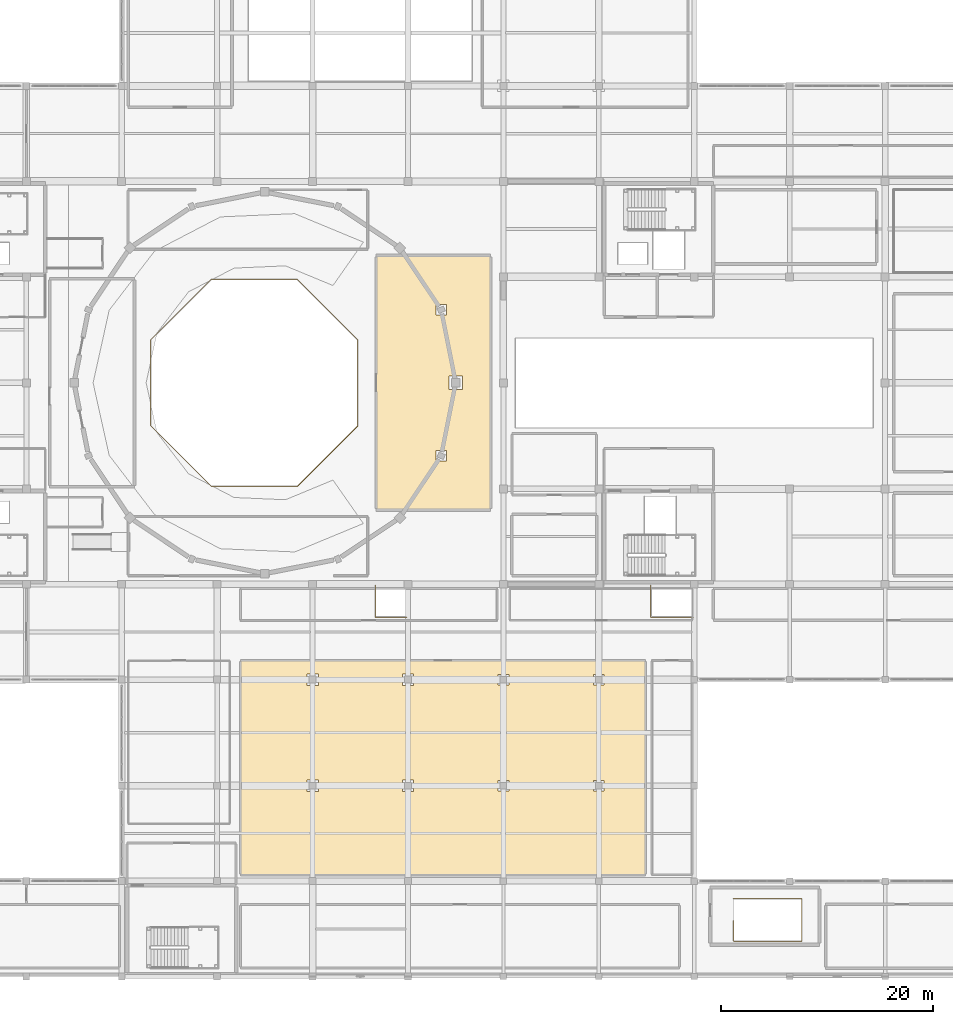
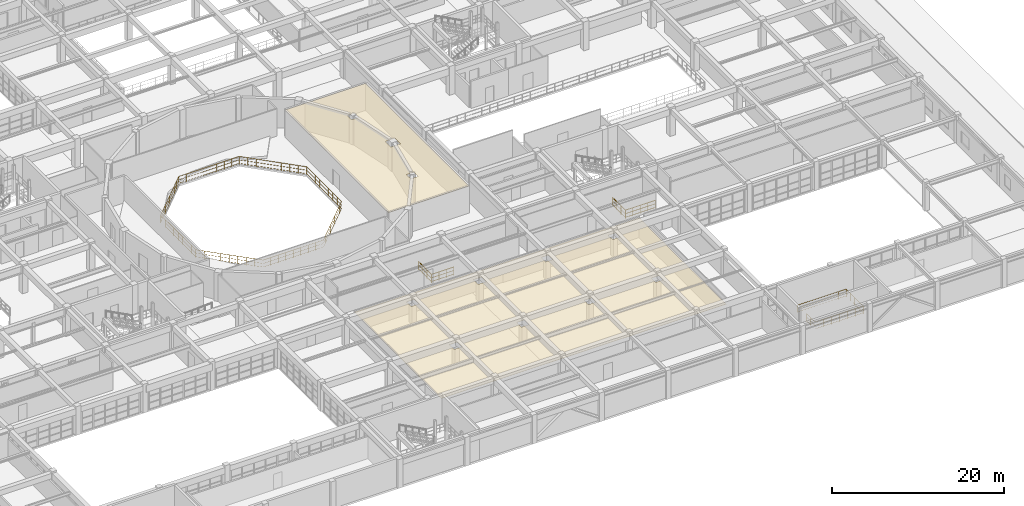
# One storey, part 124 of 130: 4 railings, 2 coverings.
"""IFC4 building model written with IfcOpenShell, lengths in metres."""

from ifc_helpers import new_model, si_unit, direction, frame, origin, origin_2d, place, context, subcontext, project, spatial, polyline, circle, outline, extrude, material, layer, layer_set, type_object, element, save


model = new_model("IFC4")

# Units and contexts
model_context = context("Model", 3, precision=1e-05, world=origin(), true_north=direction((0.0, 1.0)))
body_context = subcontext(model_context, "Body", "Model", "MODEL_VIEW")
ifc_project = project(units=[si_unit("LENGTHUNIT", "METRE"), si_unit("AREAUNIT", "SQUARE_METRE"), si_unit("VOLUMEUNIT", "CUBIC_METRE"), si_unit("PLANEANGLEUNIT", "RADIAN"), si_unit("MASSUNIT", "GRAM", prefix="KILO")], contexts=[model_context])

# Site, building, storey
site_placement = place(None, origin())
site = spatial("IfcSite", under=ifc_project, at=site_placement, CompositionType="ELEMENT")
building_placement = place(site_placement, origin())
building = spatial("IfcBuilding", under=site, at=building_placement, Name="Miravela Opera House", CompositionType="ELEMENT")
storey_placement = place(building_placement, frame((0.0, 0.0, 9.52001953125)))
storey = spatial("IfcBuildingStorey", under=building, at=storey_placement, Name="L02", CompositionType="ELEMENT", Elevation=9.52001953125)

# Coverings
ifc_material_1 = material(Name="Perforated hardwood acoustic reflector ceiling", Category="wood")
ifc_layer = layer(ifc_material_1, 0.031982421875)
ifc_layer_set = layer_set([ifc_layer])
covering_type = type_object("IfcCoveringType", Name="ARC-CEIL-ACOUSTIC-32", PredefinedType="CEILING", material=ifc_layer_set)
covering_1_placement = place(storey_placement, frame((0.0, 0.0, 3.719970703125)))
element("IfcCovering", 1, at=covering_1_placement, inside=storey, type_object=covering_type, Name="Opera Auditorium Dress Circle Acoustic Ceiling", PredefinedType="CEILING", context=body_context, shape_type="SweptSolid", body=[
    extrude(outline(polyline([(87.0, 44.0), (97.800048828125, 44.0), (97.800048828125, 68.0), (87.0, 68.0), (87.0, 44.0)]), holes=[polyline([(93.854248046875, 55.354248046875), (95.145751953125, 55.354248046875), (95.145751953125, 56.645751953125), (93.854248046875, 56.645751953125), (93.854248046875, 55.354248046875)]), polyline([(92.639892578125, 62.398193359375), (93.619873046875, 62.398193359375), (93.619873046875, 63.37841796875), (92.639892578125, 63.37841796875), (92.639892578125, 62.398193359375)]), polyline([(92.639892578125, 48.62158203125), (93.619873046875, 48.62158203125), (93.619873046875, 49.601806640625), (92.639892578125, 49.601806640625), (92.639892578125, 48.62158203125)])]), origin(), (0.0, 0.0, 1.0), 0.031982421875),
])
covering_2_placement = place(storey_placement, frame((0.0, 0.0, 2.7099609375)))
element("IfcCovering", 2, at=covering_2_placement, inside=storey, type_object=covering_type, Name="Costume Tailoring and Dyeing Workshop Acoustic Ceiling", PredefinedType="CEILING", context=body_context, shape_type="SweptSolid", body=[
    extrude(outline(polyline([(74.199951171875, 9.60009765625), (112.39990234375, 9.60009765625), (112.39990234375, 29.800048828125), (74.199951171875, 29.800048828125), (74.199951171875, 9.60009765625)]), holes=[polyline([(80.46044921875, 17.46044921875), (81.53955078125, 17.46044921875), (81.53955078125, 18.53955078125), (80.46044921875, 18.53955078125), (80.46044921875, 17.46044921875)]), polyline([(80.46044921875, 27.46044921875), (81.53955078125, 27.46044921875), (81.53955078125, 28.53955078125), (80.46044921875, 28.53955078125), (80.46044921875, 27.46044921875)]), polyline([(89.46044921875, 17.46044921875), (90.53955078125, 17.46044921875), (90.53955078125, 18.53955078125), (89.46044921875, 18.53955078125), (89.46044921875, 17.46044921875)]), polyline([(89.46044921875, 27.46044921875), (90.53955078125, 27.46044921875), (90.53955078125, 28.53955078125), (89.46044921875, 28.53955078125), (89.46044921875, 27.46044921875)]), polyline([(98.49560546875, 17.49560546875), (99.50439453125, 17.49560546875), (99.50439453125, 18.50439453125), (98.49560546875, 18.50439453125), (98.49560546875, 17.49560546875)]), polyline([(98.49560546875, 27.49560546875), (99.50439453125, 27.49560546875), (99.50439453125, 28.50439453125), (98.49560546875, 28.50439453125), (98.49560546875, 27.49560546875)]), polyline([(107.49560546875, 17.49560546875), (108.50439453125, 17.49560546875), (108.50439453125, 18.50439453125), (107.49560546875, 18.50439453125), (107.49560546875, 17.49560546875)]), polyline([(107.49560546875, 27.49560546875), (108.50439453125, 27.49560546875), (108.50439453125, 28.50439453125), (107.49560546875, 28.50439453125), (107.49560546875, 27.49560546875)])]), origin(), (0.0, 0.0, 1.0), 0.031982421875),
])

# Railings
ifc_material_2 = material(Name="Gilded bronze auditorium tier balustrade")
railing_type_1 = type_object("IfcRailingType", Name="ARC-RAIL-BOWL-BAL", PredefinedType="BALUSTRADE", material=ifc_material_2)
railing_1_placement = place(storey_placement, frame((85.274658203125, 60.048828125, 0.0)))
element("IfcRailing", 3, at=railing_1_placement, inside=storey, type_object=railing_type_1, Name="L02 Void Perimeter Balustrade 0160", PredefinedType="BALUSTRADE", context=body_context, shape_type="SweptSolid", body=[
    extrude(circle(Radius=0.02490234375, at=origin_2d()), frame((0.0, 0.0, 1.09521484375), z_axis=(-0.707106781187, 0.707106781187, 0.0), x_axis=(-0.707106781187, -0.707106781187, 0.0)), (0.0, 0.0, 1.0), 8.09765625),
    extrude(circle(Radius=0.01611328125, at=origin_2d()), frame((0.0, 0.0, 0.615966796875), z_axis=(-0.707106781187, 0.707106781187, 0.0), x_axis=(-0.707106781187, -0.707106781187, 0.0)), (0.0, 0.0, 1.0), 8.09765625),
    extrude(circle(Radius=0.01611328125, at=origin_2d()), frame((0.0, 0.0, 0.1201171875), z_axis=(-0.707106781187, 0.707106781187, 0.0), x_axis=(-0.707106781187, -0.707106781187, 0.0)), (0.0, 0.0, 1.0), 8.09765625),
    extrude(circle(Radius=0.02490234375, at=origin_2d()), frame((-5.725830078125, 5.725830078125, 1.09521484375), z_axis=(-1.0, 0.0, 0.0), x_axis=(0.0, -1.0, 0.0)), (0.0, 0.0, 1.0), 8.09765625),
    extrude(circle(Radius=0.01611328125, at=origin_2d()), frame((-5.725830078125, 5.725830078125, 0.615966796875), z_axis=(-1.0, 0.0, 0.0), x_axis=(0.0, -1.0, 0.0)), (0.0, 0.0, 1.0), 8.09765625),
    extrude(circle(Radius=0.01611328125, at=origin_2d()), frame((-5.725830078125, 5.725830078125, 0.1201171875), z_axis=(-1.0, 0.0, 0.0), x_axis=(0.0, -1.0, 0.0)), (0.0, 0.0, 1.0), 8.09765625),
    extrude(circle(Radius=0.02490234375, at=origin_2d()), frame((-13.823486328125, 5.725830078125, 1.09521484375), z_axis=(-0.707106781187, -0.707106781187, 0.0), x_axis=(0.707106781187, -0.707106781187, 0.0)), (0.0, 0.0, 1.0), 8.09765625),
    extrude(circle(Radius=0.01611328125, at=origin_2d()), frame((-13.823486328125, 5.725830078125, 0.615966796875), z_axis=(-0.707106781187, -0.707106781187, 0.0), x_axis=(0.707106781187, -0.707106781187, 0.0)), (0.0, 0.0, 1.0), 8.09765625),
    extrude(circle(Radius=0.01611328125, at=origin_2d()), frame((-13.823486328125, 5.725830078125, 0.1201171875), z_axis=(-0.707106781187, -0.707106781187, 0.0), x_axis=(0.707106781187, -0.707106781187, 0.0)), (0.0, 0.0, 1.0), 8.09765625),
    extrude(circle(Radius=0.02490234375, at=origin_2d()), frame((-19.54931640625, 0.0, 1.09521484375), z_axis=(0.0, -1.0, 0.0), x_axis=(1.0, 0.0, 0.0)), (0.0, 0.0, 1.0), 8.09765625),
    extrude(circle(Radius=0.01611328125, at=origin_2d()), frame((-19.54931640625, 0.0, 0.615966796875), z_axis=(0.0, -1.0, 0.0), x_axis=(1.0, 0.0, 0.0)), (0.0, 0.0, 1.0), 8.09765625),
    extrude(circle(Radius=0.01611328125, at=origin_2d()), frame((-19.54931640625, 0.0, 0.1201171875), z_axis=(0.0, -1.0, 0.0), x_axis=(1.0, 0.0, 0.0)), (0.0, 0.0, 1.0), 8.09765625),
    extrude(circle(Radius=0.02490234375, at=origin_2d()), frame((-19.54931640625, -8.09765625, 1.09521484375), z_axis=(0.707106781187, -0.707106781187, 0.0), x_axis=(0.707106781187, 0.707106781187, 0.0)), (0.0, 0.0, 1.0), 8.09765625),
    extrude(circle(Radius=0.01611328125, at=origin_2d()), frame((-19.54931640625, -8.09765625, 0.615966796875), z_axis=(0.707106781187, -0.707106781187, 0.0), x_axis=(0.707106781187, 0.707106781187, 0.0)), (0.0, 0.0, 1.0), 8.09765625),
    extrude(circle(Radius=0.01611328125, at=origin_2d()), frame((-19.54931640625, -8.09765625, 0.1201171875), z_axis=(0.707106781187, -0.707106781187, 0.0), x_axis=(0.707106781187, 0.707106781187, 0.0)), (0.0, 0.0, 1.0), 8.09765625),
    extrude(circle(Radius=0.02490234375, at=origin_2d()), frame((-13.823486328125, -13.823486328125, 1.09521484375), z_axis=(1.0, 0.0, 0.0), x_axis=(0.0, 1.0, 0.0)), (0.0, 0.0, 1.0), 8.09765625),
    extrude(circle(Radius=0.01611328125, at=origin_2d()), frame((-13.823486328125, -13.823486328125, 0.615966796875), z_axis=(1.0, 0.0, 0.0), x_axis=(0.0, 1.0, 0.0)), (0.0, 0.0, 1.0), 8.09765625),
    extrude(circle(Radius=0.01611328125, at=origin_2d()), frame((-13.823486328125, -13.823486328125, 0.1201171875), z_axis=(1.0, 0.0, 0.0), x_axis=(0.0, 1.0, 0.0)), (0.0, 0.0, 1.0), 8.09765625),
    extrude(circle(Radius=0.02490234375, at=origin_2d()), frame((-5.725830078125, -13.823486328125, 1.09521484375), z_axis=(0.707106781187, 0.707106781187, 0.0), x_axis=(-0.707106781187, 0.707106781187, 0.0)), (0.0, 0.0, 1.0), 8.09765625),
    extrude(circle(Radius=0.01611328125, at=origin_2d()), frame((-5.725830078125, -13.823486328125, 0.615966796875), z_axis=(0.707106781187, 0.707106781187, 0.0), x_axis=(-0.707106781187, 0.707106781187, 0.0)), (0.0, 0.0, 1.0), 8.09765625),
    extrude(circle(Radius=0.01611328125, at=origin_2d()), frame((-5.725830078125, -13.823486328125, 0.1201171875), z_axis=(0.707106781187, 0.707106781187, 0.0), x_axis=(-0.707106781187, 0.707106781187, 0.0)), (0.0, 0.0, 1.0), 8.09765625),
    extrude(circle(Radius=0.02490234375, at=origin_2d()), frame((0.0, -8.09765625, 1.09521484375), z_axis=(0.0, 1.0, 0.0), x_axis=(-1.0, 0.0, 0.0)), (0.0, 0.0, 1.0), 8.09765625),
    extrude(circle(Radius=0.01611328125, at=origin_2d()), frame((0.0, -8.09765625, 0.615966796875), z_axis=(0.0, 1.0, 0.0), x_axis=(-1.0, 0.0, 0.0)), (0.0, 0.0, 1.0), 8.09765625),
    extrude(circle(Radius=0.01611328125, at=origin_2d()), frame((0.0, -8.09765625, 0.1201171875), z_axis=(0.0, 1.0, 0.0), x_axis=(-1.0, 0.0, 0.0)), (0.0, 0.0, 1.0), 8.09765625),
    extrude(circle(Radius=0.02099609375, at=origin_2d()), origin(), (0.0, 0.0, 1.0), 1.070068359375),
    extrude(circle(Radius=0.02099609375, at=origin_2d()), frame((-0.7158203125, 0.7158203125, 0.0)), (0.0, 0.0, 1.0), 1.070068359375),
    extrude(circle(Radius=0.02099609375, at=origin_2d()), frame((-1.431396484375, 1.431396484375, 0.0)), (0.0, 0.0, 1.0), 1.070068359375),
    extrude(circle(Radius=0.02099609375, at=origin_2d()), frame((-2.147216796875, 2.147216796875, 0.0)), (0.0, 0.0, 1.0), 1.070068359375),
    extrude(circle(Radius=0.02099609375, at=origin_2d()), frame((-2.86279296875, 2.86279296875, 0.0)), (0.0, 0.0, 1.0), 1.070068359375),
    extrude(circle(Radius=0.02099609375, at=origin_2d()), frame((-3.57861328125, 3.57861328125, 0.0)), (0.0, 0.0, 1.0), 1.070068359375),
    extrude(circle(Radius=0.02099609375, at=origin_2d()), frame((-4.29443359375, 4.29443359375, 0.0)), (0.0, 0.0, 1.0), 1.070068359375),
    extrude(circle(Radius=0.02099609375, at=origin_2d()), frame((-5.010009765625, 5.010009765625, 0.0)), (0.0, 0.0, 1.0), 1.070068359375),
    extrude(circle(Radius=0.02099609375, at=origin_2d()), frame((-5.725830078125, 5.725830078125, 0.0)), (0.0, 0.0, 1.0), 1.070068359375),
    extrude(circle(Radius=0.02099609375, at=origin_2d()), frame((-6.738037109375, 5.725830078125, 0.0)), (0.0, 0.0, 1.0), 1.070068359375),
    extrude(circle(Radius=0.02099609375, at=origin_2d()), frame((-7.750244140625, 5.725830078125, 0.0)), (0.0, 0.0, 1.0), 1.070068359375),
    extrude(circle(Radius=0.02099609375, at=origin_2d()), frame((-8.762451171875, 5.725830078125, 0.0)), (0.0, 0.0, 1.0), 1.070068359375),
    extrude(circle(Radius=0.02099609375, at=origin_2d()), frame((-9.774658203125, 5.725830078125, 0.0)), (0.0, 0.0, 1.0), 1.070068359375),
    extrude(circle(Radius=0.02099609375, at=origin_2d()), frame((-10.786865234375, 5.725830078125, 0.0)), (0.0, 0.0, 1.0), 1.070068359375),
    extrude(circle(Radius=0.02099609375, at=origin_2d()), frame((-11.799072265625, 5.725830078125, 0.0)), (0.0, 0.0, 1.0), 1.070068359375),
    extrude(circle(Radius=0.02099609375, at=origin_2d()), frame((-12.811279296875, 5.725830078125, 0.0)), (0.0, 0.0, 1.0), 1.070068359375),
    extrude(circle(Radius=0.02099609375, at=origin_2d()), frame((-13.823486328125, 5.725830078125, 0.0)), (0.0, 0.0, 1.0), 1.070068359375),
    extrude(circle(Radius=0.02099609375, at=origin_2d()), frame((-14.539306640625, 5.010009765625, 0.0)), (0.0, 0.0, 1.0), 1.070068359375),
    extrude(circle(Radius=0.02099609375, at=origin_2d()), frame((-15.2548828125, 4.29443359375, 0.0)), (0.0, 0.0, 1.0), 1.070068359375),
    extrude(circle(Radius=0.02099609375, at=origin_2d()), frame((-15.970703125, 3.57861328125, 0.0)), (0.0, 0.0, 1.0), 1.070068359375),
    extrude(circle(Radius=0.02099609375, at=origin_2d()), frame((-16.6865234375, 2.86279296875, 0.0)), (0.0, 0.0, 1.0), 1.070068359375),
    extrude(circle(Radius=0.02099609375, at=origin_2d()), frame((-17.402099609375, 2.147216796875, 0.0)), (0.0, 0.0, 1.0), 1.070068359375),
    extrude(circle(Radius=0.02099609375, at=origin_2d()), frame((-18.117919921875, 1.431396484375, 0.0)), (0.0, 0.0, 1.0), 1.070068359375),
    extrude(circle(Radius=0.02099609375, at=origin_2d()), frame((-18.83349609375, 0.7158203125, 0.0)), (0.0, 0.0, 1.0), 1.070068359375),
    extrude(circle(Radius=0.02099609375, at=origin_2d()), frame((-19.54931640625, 0.0, 0.0)), (0.0, 0.0, 1.0), 1.070068359375),
    extrude(circle(Radius=0.02099609375, at=origin_2d()), frame((-19.54931640625, -1.01220703125, 0.0)), (0.0, 0.0, 1.0), 1.070068359375),
    extrude(circle(Radius=0.02099609375, at=origin_2d()), frame((-19.54931640625, -2.0244140625, 0.0)), (0.0, 0.0, 1.0), 1.070068359375),
    extrude(circle(Radius=0.02099609375, at=origin_2d()), frame((-19.54931640625, -3.03662109375, 0.0)), (0.0, 0.0, 1.0), 1.070068359375),
    extrude(circle(Radius=0.02099609375, at=origin_2d()), frame((-19.54931640625, -4.048828125, 0.0)), (0.0, 0.0, 1.0), 1.070068359375),
    extrude(circle(Radius=0.02099609375, at=origin_2d()), frame((-19.54931640625, -5.06103515625, 0.0)), (0.0, 0.0, 1.0), 1.070068359375),
    extrude(circle(Radius=0.02099609375, at=origin_2d()), frame((-19.54931640625, -6.0732421875, 0.0)), (0.0, 0.0, 1.0), 1.070068359375),
    extrude(circle(Radius=0.02099609375, at=origin_2d()), frame((-19.54931640625, -7.08544921875, 0.0)), (0.0, 0.0, 1.0), 1.070068359375),
    extrude(circle(Radius=0.02099609375, at=origin_2d()), frame((-19.54931640625, -8.09765625, 0.0)), (0.0, 0.0, 1.0), 1.070068359375),
    extrude(circle(Radius=0.02099609375, at=origin_2d()), frame((-18.83349609375, -8.8134765625, 0.0)), (0.0, 0.0, 1.0), 1.070068359375),
    extrude(circle(Radius=0.02099609375, at=origin_2d()), frame((-18.117919921875, -9.529052734375, 0.0)), (0.0, 0.0, 1.0), 1.070068359375),
    extrude(circle(Radius=0.02099609375, at=origin_2d()), frame((-17.402099609375, -10.244873046875, 0.0)), (0.0, 0.0, 1.0), 1.070068359375),
    extrude(circle(Radius=0.02099609375, at=origin_2d()), frame((-16.6865234375, -10.96044921875, 0.0)), (0.0, 0.0, 1.0), 1.070068359375),
    extrude(circle(Radius=0.02099609375, at=origin_2d()), frame((-15.970703125, -11.67626953125, 0.0)), (0.0, 0.0, 1.0), 1.070068359375),
    extrude(circle(Radius=0.02099609375, at=origin_2d()), frame((-15.2548828125, -12.39208984375, 0.0)), (0.0, 0.0, 1.0), 1.070068359375),
    extrude(circle(Radius=0.02099609375, at=origin_2d()), frame((-14.539306640625, -13.107666015625, 0.0)), (0.0, 0.0, 1.0), 1.070068359375),
    extrude(circle(Radius=0.02099609375, at=origin_2d()), frame((-13.823486328125, -13.823486328125, 0.0)), (0.0, 0.0, 1.0), 1.070068359375),
    extrude(circle(Radius=0.02099609375, at=origin_2d()), frame((-12.811279296875, -13.823486328125, 0.0)), (0.0, 0.0, 1.0), 1.070068359375),
    extrude(circle(Radius=0.02099609375, at=origin_2d()), frame((-11.799072265625, -13.823486328125, 0.0)), (0.0, 0.0, 1.0), 1.070068359375),
    extrude(circle(Radius=0.02099609375, at=origin_2d()), frame((-10.786865234375, -13.823486328125, 0.0)), (0.0, 0.0, 1.0), 1.070068359375),
    extrude(circle(Radius=0.02099609375, at=origin_2d()), frame((-9.774658203125, -13.823486328125, 0.0)), (0.0, 0.0, 1.0), 1.070068359375),
    extrude(circle(Radius=0.02099609375, at=origin_2d()), frame((-8.762451171875, -13.823486328125, 0.0)), (0.0, 0.0, 1.0), 1.070068359375),
    extrude(circle(Radius=0.02099609375, at=origin_2d()), frame((-7.750244140625, -13.823486328125, 0.0)), (0.0, 0.0, 1.0), 1.070068359375),
    extrude(circle(Radius=0.02099609375, at=origin_2d()), frame((-6.738037109375, -13.823486328125, 0.0)), (0.0, 0.0, 1.0), 1.070068359375),
    extrude(circle(Radius=0.02099609375, at=origin_2d()), frame((-5.725830078125, -13.823486328125, 0.0)), (0.0, 0.0, 1.0), 1.070068359375),
    extrude(circle(Radius=0.02099609375, at=origin_2d()), frame((-5.010009765625, -13.107666015625, 0.0)), (0.0, 0.0, 1.0), 1.070068359375),
    extrude(circle(Radius=0.02099609375, at=origin_2d()), frame((-4.29443359375, -12.39208984375, 0.0)), (0.0, 0.0, 1.0), 1.070068359375),
    extrude(circle(Radius=0.02099609375, at=origin_2d()), frame((-3.57861328125, -11.67626953125, 0.0)), (0.0, 0.0, 1.0), 1.070068359375),
    extrude(circle(Radius=0.02099609375, at=origin_2d()), frame((-2.86279296875, -10.96044921875, 0.0)), (0.0, 0.0, 1.0), 1.070068359375),
    extrude(circle(Radius=0.02099609375, at=origin_2d()), frame((-2.147216796875, -10.244873046875, 0.0)), (0.0, 0.0, 1.0), 1.070068359375),
    extrude(circle(Radius=0.02099609375, at=origin_2d()), frame((-1.431396484375, -9.529052734375, 0.0)), (0.0, 0.0, 1.0), 1.070068359375),
    extrude(circle(Radius=0.02099609375, at=origin_2d()), frame((-0.7158203125, -8.8134765625, 0.0)), (0.0, 0.0, 1.0), 1.070068359375),
    extrude(circle(Radius=0.02099609375, at=origin_2d()), frame((0.0, -8.09765625, 0.0)), (0.0, 0.0, 1.0), 1.070068359375),
    extrude(circle(Radius=0.02099609375, at=origin_2d()), frame((0.0, -7.08544921875, 0.0)), (0.0, 0.0, 1.0), 1.070068359375),
    extrude(circle(Radius=0.02099609375, at=origin_2d()), frame((0.0, -6.0732421875, 0.0)), (0.0, 0.0, 1.0), 1.070068359375),
    extrude(circle(Radius=0.02099609375, at=origin_2d()), frame((0.0, -5.06103515625, 0.0)), (0.0, 0.0, 1.0), 1.070068359375),
    extrude(circle(Radius=0.02099609375, at=origin_2d()), frame((0.0, -4.048828125, 0.0)), (0.0, 0.0, 1.0), 1.070068359375),
    extrude(circle(Radius=0.02099609375, at=origin_2d()), frame((0.0, -3.03662109375, 0.0)), (0.0, 0.0, 1.0), 1.070068359375),
    extrude(circle(Radius=0.02099609375, at=origin_2d()), frame((0.0, -2.0244140625, 0.0)), (0.0, 0.0, 1.0), 1.070068359375),
    extrude(circle(Radius=0.02099609375, at=origin_2d()), frame((0.0, -1.01220703125, 0.0)), (0.0, 0.0, 1.0), 1.070068359375),
])
ifc_material_3 = material(Name="Painted wrought-iron stair guardrail")
railing_type_2 = type_object("IfcRailingType", Name="ARC-RAIL-STAIR-GUARD", PredefinedType="GUARDRAIL", material=ifc_material_3)
railing_2_placement = place(storey_placement, frame((120.68994140625, 5.27001953125, 0.0)))
element("IfcRailing", 4, at=railing_2_placement, inside=storey, type_object=railing_type_2, Name="Stair ST-10 Well Slab Opening Guard (L02) 0092", PredefinedType="GUARDRAIL", context=body_context, shape_type="SweptSolid", body=[
    extrude(circle(Radius=0.02392578125, at=origin_2d()), frame((0.0, 0.0, 1.076171875), z_axis=(0.0, -1.0, 0.0), x_axis=(1.0, 0.0, 0.0)), (0.0, 0.0, 1.0), 1.919921875),
    extrude(circle(Radius=0.01611328125, at=origin_2d()), frame((0.0, 0.0, 0.60498046875), z_axis=(0.0, -1.0, 0.0), x_axis=(1.0, 0.0, 0.0)), (0.0, 0.0, 1.0), 1.919921875),
    extrude(circle(Radius=0.01611328125, at=origin_2d()), frame((0.0, 0.0, 0.1201171875), z_axis=(0.0, -1.0, 0.0), x_axis=(1.0, 0.0, 0.0)), (0.0, 0.0, 1.0), 1.919921875),
    extrude(circle(Radius=0.02392578125, at=origin_2d()), frame((0.0, -1.919921875, 1.076171875), z_axis=(1.0, 0.0, 0.0), x_axis=(0.0, 1.0, 0.0)), (0.0, 0.0, 1.0), 6.4599609375),
    extrude(circle(Radius=0.01611328125, at=origin_2d()), frame((0.0, -1.919921875, 0.60498046875), z_axis=(1.0, 0.0, 0.0), x_axis=(0.0, 1.0, 0.0)), (0.0, 0.0, 1.0), 6.4599609375),
    extrude(circle(Radius=0.01611328125, at=origin_2d()), frame((0.0, -1.919921875, 0.1201171875), z_axis=(1.0, 0.0, 0.0), x_axis=(0.0, 1.0, 0.0)), (0.0, 0.0, 1.0), 6.4599609375),
    extrude(circle(Radius=0.02392578125, at=origin_2d()), frame((6.4599609375, -1.919921875, 1.076171875), z_axis=(0.0, 1.0, 0.0), x_axis=(-1.0, 0.0, 0.0)), (0.0, 0.0, 1.0), 3.97998046875),
    extrude(circle(Radius=0.01611328125, at=origin_2d()), frame((6.4599609375, -1.919921875, 0.60498046875), z_axis=(0.0, 1.0, 0.0), x_axis=(-1.0, 0.0, 0.0)), (0.0, 0.0, 1.0), 3.97998046875),
    extrude(circle(Radius=0.01611328125, at=origin_2d()), frame((6.4599609375, -1.919921875, 0.1201171875), z_axis=(0.0, 1.0, 0.0), x_axis=(-1.0, 0.0, 0.0)), (0.0, 0.0, 1.0), 3.97998046875),
    extrude(circle(Radius=0.02392578125, at=origin_2d()), frame((6.4599609375, 2.06005859375, 1.076171875), z_axis=(-1.0, 0.0, 0.0), x_axis=(0.0, -1.0, 0.0)), (0.0, 0.0, 1.0), 6.4599609375),
    extrude(circle(Radius=0.01611328125, at=origin_2d()), frame((6.4599609375, 2.06005859375, 0.60498046875), z_axis=(-1.0, 0.0, 0.0), x_axis=(0.0, -1.0, 0.0)), (0.0, 0.0, 1.0), 6.4599609375),
    extrude(circle(Radius=0.01611328125, at=origin_2d()), frame((6.4599609375, 2.06005859375, 0.1201171875), z_axis=(-1.0, 0.0, 0.0), x_axis=(0.0, -1.0, 0.0)), (0.0, 0.0, 1.0), 6.4599609375),
    extrude(circle(Radius=0.02099609375, at=origin_2d()), origin(), (0.0, 0.0, 1.0), 1.052001953125),
    extrude(circle(Radius=0.02099609375, at=origin_2d()), frame((0.0, -0.9599609375, 0.0)), (0.0, 0.0, 1.0), 1.052001953125),
    extrude(circle(Radius=0.02099609375, at=origin_2d()), frame((0.0, -1.919921875, 0.0)), (0.0, 0.0, 1.0), 1.052001953125),
    extrude(circle(Radius=0.02099609375, at=origin_2d()), frame((1.07666015625, -1.919921875, 0.0)), (0.0, 0.0, 1.0), 1.052001953125),
    extrude(circle(Radius=0.02099609375, at=origin_2d()), frame((2.1533203125, -1.919921875, 0.0)), (0.0, 0.0, 1.0), 1.052001953125),
    extrude(circle(Radius=0.02099609375, at=origin_2d()), frame((3.22998046875, -1.919921875, 0.0)), (0.0, 0.0, 1.0), 1.052001953125),
    extrude(circle(Radius=0.02099609375, at=origin_2d()), frame((4.306640625, -1.919921875, 0.0)), (0.0, 0.0, 1.0), 1.052001953125),
    extrude(circle(Radius=0.02099609375, at=origin_2d()), frame((5.38330078125, -1.919921875, 0.0)), (0.0, 0.0, 1.0), 1.052001953125),
    extrude(circle(Radius=0.02099609375, at=origin_2d()), frame((6.4599609375, -1.919921875, 0.0)), (0.0, 0.0, 1.0), 1.052001953125),
    extrude(circle(Radius=0.02099609375, at=origin_2d()), frame((6.4599609375, -0.9248046875, 0.0)), (0.0, 0.0, 1.0), 1.052001953125),
    extrude(circle(Radius=0.02099609375, at=origin_2d()), frame((6.4599609375, 0.070068359375, 0.0)), (0.0, 0.0, 1.0), 1.052001953125),
    extrude(circle(Radius=0.02099609375, at=origin_2d()), frame((6.4599609375, 1.06494140625, 0.0)), (0.0, 0.0, 1.0), 1.052001953125),
    extrude(circle(Radius=0.02099609375, at=origin_2d()), frame((6.4599609375, 2.06005859375, 0.0)), (0.0, 0.0, 1.0), 1.052001953125),
    extrude(circle(Radius=0.02099609375, at=origin_2d()), frame((5.38330078125, 2.06005859375, 0.0)), (0.0, 0.0, 1.0), 1.052001953125),
    extrude(circle(Radius=0.02099609375, at=origin_2d()), frame((4.306640625, 2.06005859375, 0.0)), (0.0, 0.0, 1.0), 1.052001953125),
    extrude(circle(Radius=0.02099609375, at=origin_2d()), frame((3.22998046875, 2.06005859375, 0.0)), (0.0, 0.0, 1.0), 1.052001953125),
    extrude(circle(Radius=0.02099609375, at=origin_2d()), frame((2.1533203125, 2.06005859375, 0.0)), (0.0, 0.0, 1.0), 1.052001953125),
    extrude(circle(Radius=0.02099609375, at=origin_2d()), frame((1.07666015625, 2.06005859375, 0.0)), (0.0, 0.0, 1.0), 1.052001953125),
    extrude(circle(Radius=0.02099609375, at=origin_2d()), frame((0.0, 2.06005859375, 0.0)), (0.0, 0.0, 1.0), 1.052001953125),
])
ifc_material_4 = material(Name="Spanish Colonial wrought-iron terrace guard")
railing_type_3 = type_object("IfcRailingType", Name="ARC-RAIL-TERR-GUARD", PredefinedType="GUARDRAIL", material=ifc_material_4)
railing_3_placement = place(storey_placement, frame((89.89990234375, 33.89990234375, 0.0)))
element("IfcRailing", 5, at=railing_3_placement, inside=storey, type_object=railing_type_3, Name="SLAB-L02-V4M1 Stepped Corner Guardrail 0184", PredefinedType="GUARDRAIL", context=body_context, shape_type="SweptSolid", body=[
    extrude(circle(Radius=0.02685546875, at=origin_2d()), frame((0.0, 0.0, 1.1328125), z_axis=(-1.0, 0.0, 0.0), x_axis=(0.0, -1.0, 0.0)), (0.0, 0.0, 1.0), 3.0),
    extrude(circle(Radius=0.01611328125, at=origin_2d()), frame((0.0, 0.0, 0.637939453125), z_axis=(-1.0, 0.0, 0.0), x_axis=(0.0, -1.0, 0.0)), (0.0, 0.0, 1.0), 3.0),
    extrude(circle(Radius=0.01611328125, at=origin_2d()), frame((0.0, 0.0, 0.1201171875), z_axis=(-1.0, 0.0, 0.0), x_axis=(0.0, -1.0, 0.0)), (0.0, 0.0, 1.0), 3.0),
    extrude(circle(Radius=0.02685546875, at=origin_2d()), frame((-3.0, 0.0, 1.1328125), z_axis=(0.0, 1.0, 0.0), x_axis=(-1.0, 0.0, 0.0)), (0.0, 0.0, 1.0), 3.0),
    extrude(circle(Radius=0.01611328125, at=origin_2d()), frame((-3.0, 0.0, 0.637939453125), z_axis=(0.0, 1.0, 0.0), x_axis=(-1.0, 0.0, 0.0)), (0.0, 0.0, 1.0), 3.0),
    extrude(circle(Radius=0.01611328125, at=origin_2d()), frame((-3.0, 0.0, 0.1201171875), z_axis=(0.0, 1.0, 0.0), x_axis=(-1.0, 0.0, 0.0)), (0.0, 0.0, 1.0), 3.0),
    extrude(circle(Radius=0.02099609375, at=origin_2d()), origin(), (0.0, 0.0, 1.0), 1.10595703125),
    extrude(circle(Radius=0.02099609375, at=origin_2d()), frame((-1.0, 0.0, 0.0)), (0.0, 0.0, 1.0), 1.10595703125),
    extrude(circle(Radius=0.02099609375, at=origin_2d()), frame((-2.0, 0.0, 0.0)), (0.0, 0.0, 1.0), 1.10595703125),
    extrude(circle(Radius=0.02099609375, at=origin_2d()), frame((-3.0, 0.0, 0.0)), (0.0, 0.0, 1.0), 1.10595703125),
    extrude(circle(Radius=0.02099609375, at=origin_2d()), frame((-3.0, 1.0, 0.0)), (0.0, 0.0, 1.0), 1.10595703125),
    extrude(circle(Radius=0.02099609375, at=origin_2d()), frame((-3.0, 2.0, 0.0)), (0.0, 0.0, 1.0), 1.10595703125),
    extrude(circle(Radius=0.02099609375, at=origin_2d()), frame((-3.0, 3.0, 0.0)), (0.0, 0.0, 1.0), 1.10595703125),
])
railing_4_placement = place(storey_placement, frame((116.89990234375, 33.89990234375, 0.0)))
element("IfcRailing", 6, at=railing_4_placement, inside=storey, type_object=railing_type_3, Name="SLAB-L02-V4M2 Stepped Corner Guardrail 0185", PredefinedType="GUARDRAIL", context=body_context, shape_type="SweptSolid", body=[
    extrude(circle(Radius=0.02685546875, at=origin_2d()), frame((0.0, 0.0, 1.1328125), z_axis=(-1.0, 0.0, 0.0), x_axis=(0.0, -1.0, 0.0)), (0.0, 0.0, 1.0), 4.0),
    extrude(circle(Radius=0.01611328125, at=origin_2d()), frame((0.0, 0.0, 0.637939453125), z_axis=(-1.0, 0.0, 0.0), x_axis=(0.0, -1.0, 0.0)), (0.0, 0.0, 1.0), 4.0),
    extrude(circle(Radius=0.01611328125, at=origin_2d()), frame((0.0, 0.0, 0.1201171875), z_axis=(-1.0, 0.0, 0.0), x_axis=(0.0, -1.0, 0.0)), (0.0, 0.0, 1.0), 4.0),
    extrude(circle(Radius=0.02685546875, at=origin_2d()), frame((-4.0, 0.0, 1.1328125), z_axis=(0.0, 1.0, 0.0), x_axis=(-1.0, 0.0, 0.0)), (0.0, 0.0, 1.0), 3.0),
    extrude(circle(Radius=0.01611328125, at=origin_2d()), frame((-4.0, 0.0, 0.637939453125), z_axis=(0.0, 1.0, 0.0), x_axis=(-1.0, 0.0, 0.0)), (0.0, 0.0, 1.0), 3.0),
    extrude(circle(Radius=0.01611328125, at=origin_2d()), frame((-4.0, 0.0, 0.1201171875), z_axis=(0.0, 1.0, 0.0), x_axis=(-1.0, 0.0, 0.0)), (0.0, 0.0, 1.0), 3.0),
    extrude(circle(Radius=0.02099609375, at=origin_2d()), origin(), (0.0, 0.0, 1.0), 1.10595703125),
    extrude(circle(Radius=0.02099609375, at=origin_2d()), frame((-1.0, 0.0, 0.0)), (0.0, 0.0, 1.0), 1.10595703125),
    extrude(circle(Radius=0.02099609375, at=origin_2d()), frame((-2.0, 0.0, 0.0)), (0.0, 0.0, 1.0), 1.10595703125),
    extrude(circle(Radius=0.02099609375, at=origin_2d()), frame((-3.0, 0.0, 0.0)), (0.0, 0.0, 1.0), 1.10595703125),
    extrude(circle(Radius=0.02099609375, at=origin_2d()), frame((-4.0, 0.0, 0.0)), (0.0, 0.0, 1.0), 1.10595703125),
    extrude(circle(Radius=0.02099609375, at=origin_2d()), frame((-4.0, 1.0, 0.0)), (0.0, 0.0, 1.0), 1.10595703125),
    extrude(circle(Radius=0.02099609375, at=origin_2d()), frame((-4.0, 2.0, 0.0)), (0.0, 0.0, 1.0), 1.10595703125),
    extrude(circle(Radius=0.02099609375, at=origin_2d()), frame((-4.0, 3.0, 0.0)), (0.0, 0.0, 1.0), 1.10595703125),
])

save(model, "model.ifc")
